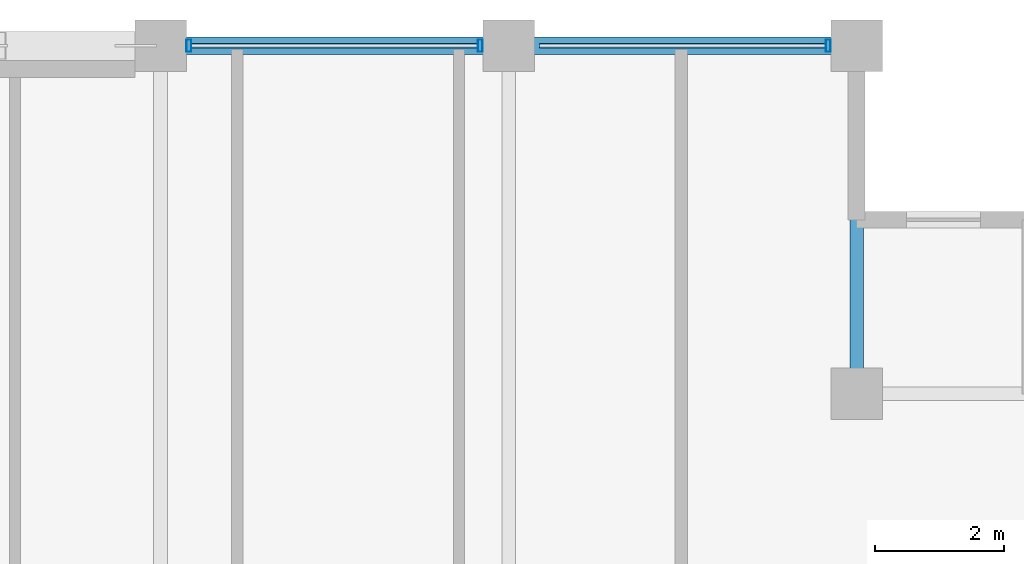
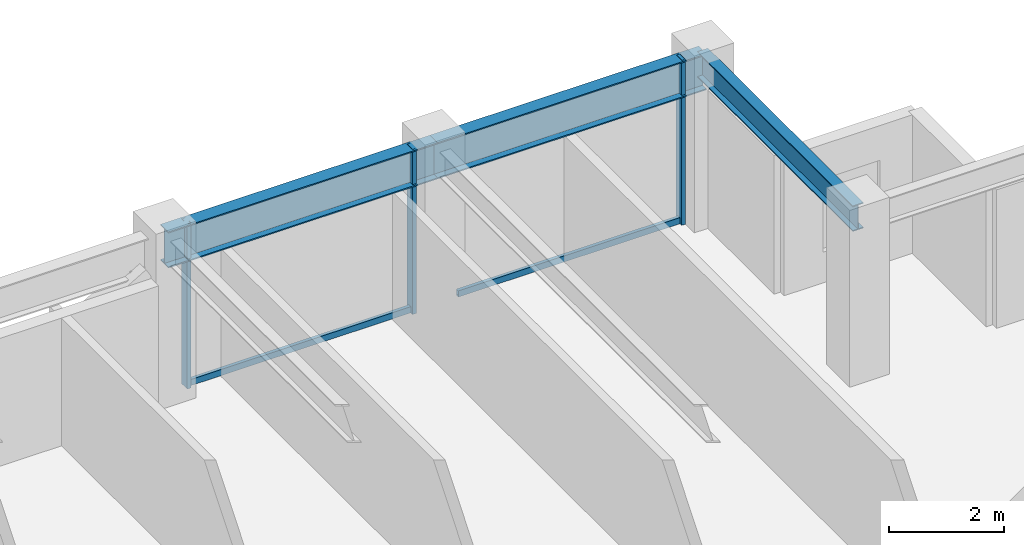
# One storey, part 19 of 28: 5 members, 3 beams, 1 element without a shape of its own.
"""IFC4 building model written with IfcOpenShell, lengths in metres."""

from ifc_helpers import new_model, si_unit, direction, frame, origin, origin_2d, place, context, subcontext, project, spatial, hollow_rectangle, i_section, extrude, material, layer, layer_set, material_profile, profile_set, type_object, element, aggregate, save


model = new_model("IFC4")

# Units and contexts
model_context = context("Model", 3, precision=1e-05, world=origin(), true_north=direction((0.0, 1.0)))
body_context = subcontext(model_context, "Body", "Model", "MODEL_VIEW")
ifc_project = project(units=[si_unit("LENGTHUNIT", "METRE"), si_unit("AREAUNIT", "SQUARE_METRE"), si_unit("VOLUMEUNIT", "CUBIC_METRE"), si_unit("PLANEANGLEUNIT", "RADIAN"), si_unit("MASSUNIT", "GRAM", prefix="KILO")], contexts=[model_context])

# Site, building, storey
site_placement = place(None, origin())
site = spatial("IfcSite", under=ifc_project, at=site_placement, CompositionType="ELEMENT")
building_placement = place(site_placement, origin())
building = spatial("IfcBuilding", under=site, at=building_placement, Name="Surkhivell Harbour Commons", CompositionType="ELEMENT")
storey_placement = place(building_placement, frame((0.0, 0.0, 246.0)))
storey = spatial("IfcBuildingStorey", under=building, at=storey_placement, Name="L64", CompositionType="ELEMENT", Elevation=246.0)

# Beams
ifc_material_1 = material(Name="Steel S355", Category="steel")
ifc_material_profile_1 = material_profile(ifc_material_1, i_section(OverallWidth=0.2119140625, OverallDepth=0.5439453125, WebThickness=0.0126953125, FlangeThickness=0.021240234375, at=origin_2d()), Name="UB533x210x122")
ifc_profile_set_1 = profile_set([ifc_material_profile_1], Name="Steel S355")
beam_type_1 = type_object("IfcBeamType", Name="BM-GRD-533A", PredefinedType="BEAM", material=ifc_profile_set_1)
beam_1_placement = place(storey_placement, frame((16.199951171875, 20.5, 3.22802734375), z_axis=(0.0, 1.0, 0.0), x_axis=(-1.0, 0.0, 0.0)))
element("IfcBeam", 1, at=beam_1_placement, inside=storey, type_object=beam_type_1, Name="L64 Floor Girder (16.2,20.5)", PredefinedType="BEAM", context=body_context, shape_type="SweptSolid", body=[
    extrude(i_section(OverallWidth=0.2119140625, OverallDepth=0.5439453125, WebThickness=0.0126953125, FlangeThickness=0.021240234375, at=origin_2d()), origin(), (0.0, 0.0, 1.0), 5.39990234375),
])
ifc_material_profile_2 = material_profile(ifc_material_1, i_section(OverallWidth=0.26806640625, OverallDepth=0.77001953125, WebThickness=0.015625, FlangeThickness=0.025390625, at=origin_2d()), Name="UB762x267x197")
ifc_profile_set_2 = profile_set([ifc_material_profile_2], Name="Steel S355")
beam_type_2 = type_object("IfcBeamType", Name="BM-SPN-762", PredefinedType="SPANDREL", material=ifc_profile_set_2)
beam_2_placement = place(storey_placement, frame((5.39990234375, 25.89990234375, 3.114990234375), z_axis=(1.0, 0.0, 0.0), x_axis=(0.0, 1.0, 0.0)))
element("IfcBeam", 2, at=beam_2_placement, inside=storey, type_object=beam_type_2, Name="L64 Tube Spandrel (5.4,25.9)", PredefinedType="SPANDREL", context=body_context, shape_type="SweptSolid", body=[
    extrude(i_section(OverallWidth=0.26806640625, OverallDepth=0.77001953125, WebThickness=0.015625, FlangeThickness=0.025390625, at=origin_2d()), origin(), (0.0, 0.0, 1.0), 5.400146484375),
])
beam_3_placement = place(storey_placement, frame((10.800048828125, 25.89990234375, 3.114990234375), z_axis=(1.0, 0.0, 0.0), x_axis=(0.0, 1.0, 0.0)))
element("IfcBeam", 3, at=beam_3_placement, inside=storey, type_object=beam_type_2, Name="L64 Tube Spandrel (10.8,25.9)", PredefinedType="SPANDREL", context=body_context, shape_type="SweptSolid", body=[
    extrude(i_section(OverallWidth=0.26806640625, OverallDepth=0.77001953125, WebThickness=0.015625, FlangeThickness=0.025390625, at=origin_2d()), origin(), (0.0, 0.0, 1.0), 5.39990234375),
])

# Curtain wall, members
ifc_material_2 = material(Name="Anodised pale-metal aluminium and insulated glazing", Category="aluminium")
ifc_layer = layer(ifc_material_2, 0.18994140625)
ifc_layer_set = layer_set([ifc_layer], Name="Anodised pale-metal aluminium and insulated glazing")
curtain_wall_type = type_object("IfcCurtainWallType", Name="CW-SYS-Z3", PredefinedType="NOTDEFINED", material=ifc_layer_set)
curtain_wall_placement = place(storey_placement, origin())
curtain_wall = element("IfcCurtainWall", 4, at=curtain_wall_placement, inside=storey, type_object=curtain_wall_type, Name="L64 Curtain Wall CW-L64-E07S1", PredefinedType="NOTDEFINED")
ifc_material_3 = material(Name="Anodised pale-metal aluminium alloy 6063-T6", Category="aluminium")
ifc_material_profile_3 = material_profile(ifc_material_3, hollow_rectangle(XDim=0.074951171875, YDim=0.18994140625, WallThickness=0.00390625, at=origin_2d()), Name="ALU-MULL-75x190")
ifc_profile_set_3 = profile_set([ifc_material_profile_3], Name="Anodised pale-metal aluminium alloy 6063-T6")
member_type_1 = type_object("IfcMemberType", Name="CWM-190", PredefinedType="MULLION", material=ifc_profile_set_3)
member_1_placement = place(storey_placement, frame((15.760498046875, 25.89990234375, 0.0), z_axis=(0.0, 0.0, 1.0), x_axis=(-1.0, 0.0, 0.0)))
member_1 = element("IfcMember", 5, at=member_1_placement, type_object=member_type_1, Name="CW-Z3 mullion 1", PredefinedType="MULLION", context=body_context, shape_type="SweptSolid", body=[
    extrude(hollow_rectangle(XDim=0.074951171875, YDim=0.18994140625, WallThickness=0.00390625, at=origin_2d()), origin(), (0.0, 0.0, 1.0), 3.5),
])
member_2_placement = place(storey_placement, frame((10.360595703125, 25.89990234375, 0.0), z_axis=(0.0, 0.0, 1.0), x_axis=(-1.0, 0.0, 0.0)))
member_2 = element("IfcMember", 6, at=member_2_placement, type_object=member_type_1, Name="CW-Z3 mullion 2", PredefinedType="MULLION", context=body_context, shape_type="SweptSolid", body=[
    extrude(hollow_rectangle(XDim=0.074951171875, YDim=0.18994140625, WallThickness=0.00390625, at=origin_2d()), origin(), (0.0, 0.0, 1.0), 3.5),
])
member_3_placement = place(storey_placement, frame((5.839599609375, 25.89990234375, 0.0), z_axis=(0.0, 0.0, 1.0), x_axis=(-1.0, 0.0, 0.0)))
member_3 = element("IfcMember", 7, at=member_3_placement, type_object=member_type_1, Name="CW-Z3 mullion 3", PredefinedType="MULLION", context=body_context, shape_type="SweptSolid", body=[
    extrude(hollow_rectangle(XDim=0.074951171875, YDim=0.18994140625, WallThickness=0.00390625, at=origin_2d()), origin(), (0.0, 0.0, 1.0), 3.5),
])
ifc_material_4 = material(Name="Champagne anodised aluminium alloy 6063-T6", Category="aluminium")
ifc_material_profile_4 = material_profile(ifc_material_4, hollow_rectangle(XDim=0.070068359375, YDim=0.1298828125, WallThickness=0.00341796875, at=origin_2d()), Name="ALU-TRAN-70x130")
ifc_profile_set_4 = profile_set([ifc_material_profile_4], Name="Champagne anodised aluminium alloy 6063-T6")
member_type_2 = type_object("IfcMemberType", Name="CWT-130", PredefinedType="USERDEFINED", material=ifc_profile_set_4)
member_4_placement = place(storey_placement, frame((15.722900390625, 25.89990234375, 0.06494140625), z_axis=(-1.0, 0.0, 0.0), x_axis=(0.0, -1.0, 0.0)))
member_4 = element("IfcMember", 8, at=member_4_placement, type_object=member_type_2, Name="CW-Z3 transom 1.1", ObjectType="TRANSOM", PredefinedType="USERDEFINED", context=body_context, shape_type="SweptSolid", body=[
    extrude(hollow_rectangle(XDim=0.070068359375, YDim=0.1298828125, WallThickness=0.00341796875, at=origin_2d()), origin(), (0.0, 0.0, 1.0), 4.44580078125),
])
member_5_placement = place(storey_placement, frame((10.322998046875, 25.89990234375, 0.06494140625), z_axis=(-1.0, 0.0, 0.0), x_axis=(0.0, -1.0, 0.0)))
member_5 = element("IfcMember", 9, at=member_5_placement, type_object=member_type_2, Name="CW-Z3 transom 2.1", ObjectType="TRANSOM", PredefinedType="USERDEFINED", context=body_context, shape_type="SweptSolid", body=[
    extrude(hollow_rectangle(XDim=0.070068359375, YDim=0.1298828125, WallThickness=0.00341796875, at=origin_2d()), origin(), (0.0, 0.0, 1.0), 4.446044921875),
])
aggregate(curtain_wall, [member_1, member_4, member_2, member_3, member_5])

save(model, "model.ifc")
